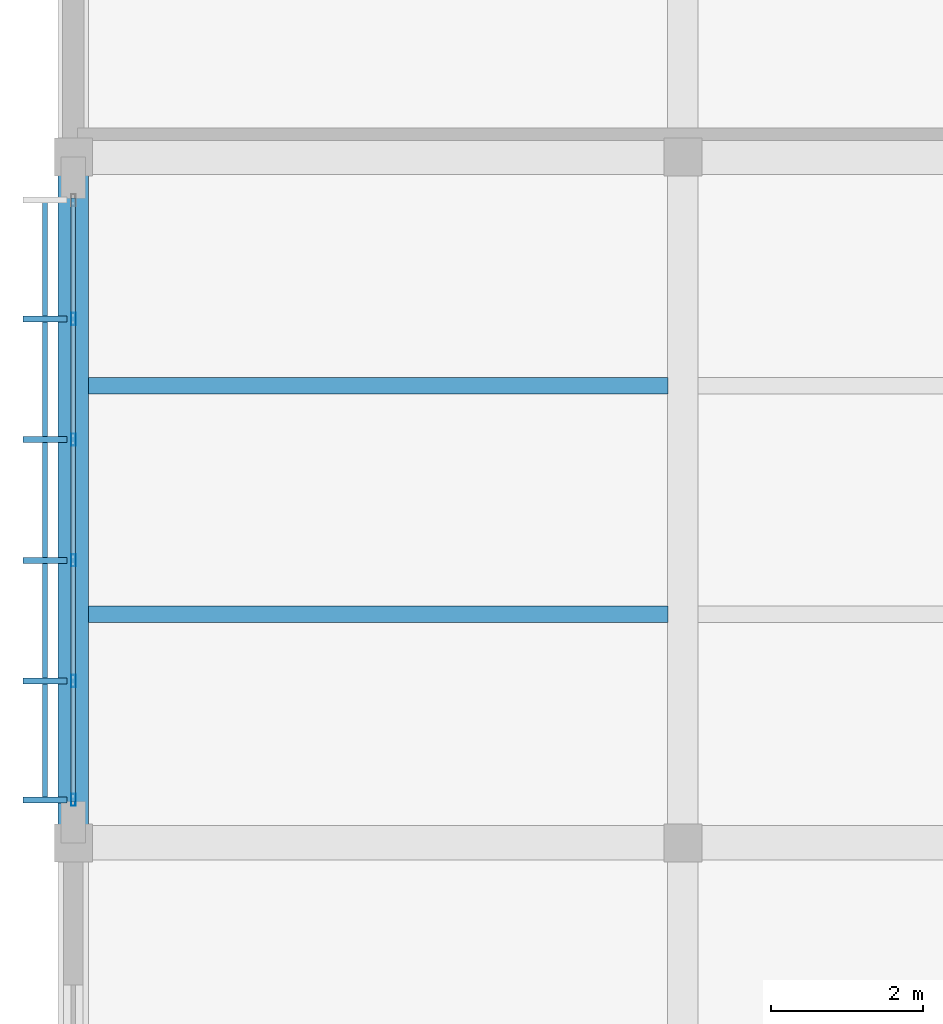
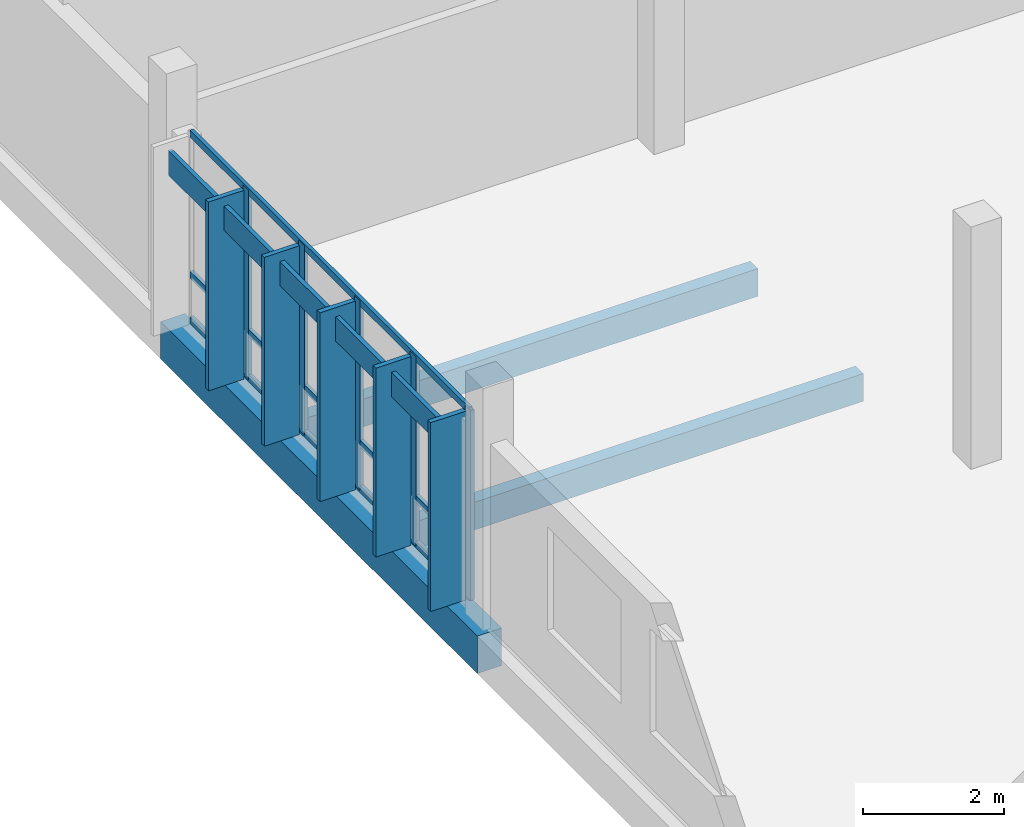
# One storey, part 33 of 107: 14 members, 3 beams, 1 element without a shape of its own.
"""IFC4 building model written with IfcOpenShell, lengths in metres."""

import ifcopenshell
import ifcopenshell.guid

model = None  # the IFC model being written
_history = None  # IfcOwnerHistory: only IFC2X3 demands one
_inside = {}  # id of a spatial element -> (the spatial element, [elements in it])
_under = {}  # id of a project, library or spatial element -> (it, [spatial elements below it])
_declared = {}  # id of a project -> (the project, [libraries it declares])
_typed = {}  # id of a type object -> (the type object, [elements of that type])
_made_of = {}  # id of a material, layer set ... -> (it, [elements and type objects made of it])


def new_model(schema):
    """Start an empty IFC model of exactly this schema.

    Asked for "IFC4X3", IfcOpenShell would pick the latest addendum, in which some entities
    have other attributes; the version numbers below select the first issue.
    IFC2X3 requires an IfcOwnerHistory on every rooted entity: one is made here for all.
    """
    global model, _history
    if schema == "IFC4X3":
        model = ifcopenshell.file(schema_version=(4, 3, 0, 0))
    else:
        model = ifcopenshell.file(schema=schema)
    _inside.clear()
    _under.clear()
    _declared.clear()
    _typed.clear()
    _made_of.clear()
    _history = None
    if model.schema == "IFC2X3":
        org = make("IfcOrganization", Name="unknown")
        user = make(
            "IfcPersonAndOrganization",
            ThePerson=make("IfcPerson", FamilyName="unknown"),
            TheOrganization=org,
        )
        app = make(
            "IfcApplication",
            ApplicationDeveloper=org,
            Version="unknown",
            ApplicationFullName="unknown",
            ApplicationIdentifier="unknown",
        )
        _history = make(
            "IfcOwnerHistory",
            OwningUser=user,
            OwningApplication=app,
            ChangeAction="ADDED",
            CreationDate=0,
        )
    return model


def make(cls, **values):
    """One entity of the class cls with the attributes given. An attribute that is None is left unset."""
    return model.create_entity(
        cls, **{name: value for name, value in values.items() if value is not None}
    )


def rooted(cls, **values):
    """An entity with a GlobalId (a new one), such as an element, a storey or a relation."""
    return make(cls, GlobalId=ifcopenshell.guid.new(), OwnerHistory=_history, **values)


def si_unit(unit_type, name, prefix=None):
    """IfcSIUnit, for example si_unit("LENGTHUNIT", "METRE", prefix="MILLI")."""
    return make("IfcSIUnit", UnitType=unit_type, Prefix=prefix, Name=name)


def assignment(units):
    """IfcUnitAssignment: the units of a project."""
    return None if units is None else make("IfcUnitAssignment", Units=units)


def point(xyz):
    """IfcCartesianPoint."""
    return None if xyz is None else make("IfcCartesianPoint", Coordinates=xyz)


def direction(xyz):
    """IfcDirection."""
    return None if xyz is None else make("IfcDirection", DirectionRatios=xyz)


def frame(location, z_axis=None, x_axis=None):
    """IfcAxis2Placement3D, a coordinate frame: its origin and axes. An axis left out is left unset."""
    return make(
        "IfcAxis2Placement3D",
        Location=point(location),
        Axis=direction(z_axis),
        RefDirection=direction(x_axis),
    )


def frame_2d(location, x_axis=None):
    """IfcAxis2Placement2D, a coordinate frame in the plane: its origin and x axis."""
    return make(
        "IfcAxis2Placement2D", Location=point(location), RefDirection=direction(x_axis)
    )


def origin():
    """The frame at (0, 0, 0) with its axes left unset."""
    return frame((0.0, 0.0, 0.0))


def origin_2d():
    """The frame at (0, 0) in the plane with its x axis left unset."""
    return frame_2d((0.0, 0.0))


def place(relative_to, where):
    """IfcLocalPlacement: puts the frame where relative to a parent placement (None: the world)."""
    return make(
        "IfcLocalPlacement", PlacementRelTo=relative_to, RelativePlacement=where
    )


def context(
    kind, dimensions, precision=None, world=None, true_north=None, identifier=None
):
    """IfcGeometricRepresentationContext, for example the 3D "Model" context."""
    return make(
        "IfcGeometricRepresentationContext",
        ContextIdentifier=identifier,
        ContextType=kind,
        CoordinateSpaceDimension=dimensions,
        Precision=precision,
        WorldCoordinateSystem=world,
        TrueNorth=true_north,
    )


def subcontext(parent, identifier, kind, view, scale=None):
    """IfcGeometricRepresentationSubContext, for example "Body" below "Model"."""
    return make(
        "IfcGeometricRepresentationSubContext",
        ContextIdentifier=identifier,
        ContextType=kind,
        ParentContext=parent,
        TargetScale=scale,
        TargetView=view,
    )


def project(units=None, contexts=None):
    """IfcProject with its units and contexts."""
    return rooted(
        "IfcProject",
        Name="project",
        RepresentationContexts=contexts,
        UnitsInContext=assignment(units),
    )


def spatial(cls, under=None, at=None, **own):
    """A site, building, storey or space (cls), placed at a placement, below another one or the project."""
    s = rooted(cls, ObjectPlacement=at, **own)
    if under is not None:
        _under.setdefault(under.id(), (under, []))[1].append(s)
    return s


def profile(cls, at=None, kind="AREA", **sizes):
    """A parametric profile (cls). Its sizes go by their IFC names, for example OverallWidth=200.0."""
    return make(cls, ProfileType=kind, Position=at, **sizes)


def rectangle(**sizes):
    """IfcRectangleProfileDef."""
    return profile("IfcRectangleProfileDef", **sizes)


def hollow_rectangle(**sizes):
    """IfcRectangleHollowProfileDef."""
    return profile("IfcRectangleHollowProfileDef", **sizes)


def extrude(swept, where, along, depth):
    """IfcExtrudedAreaSolid: the profile swept, set in the frame where, extruded along a direction by depth."""
    return make(
        "IfcExtrudedAreaSolid",
        SweptArea=swept,
        Position=where,
        ExtrudedDirection=direction(along),
        Depth=depth,
    )


def shape(context_of_items, identifier, shape_type, items):
    """IfcShapeRepresentation: the items that make up one representation, for example the "Body"."""
    return make(
        "IfcShapeRepresentation",
        ContextOfItems=context_of_items,
        RepresentationIdentifier=identifier,
        RepresentationType=shape_type,
        Items=items,
    )


def material(Name=None, Category=None):
    """IfcMaterial."""
    return make("IfcMaterial", Name=Name, Category=Category)


def material_profile(
    of_material, cross_section, Name=None, Category=None, Priority=None
):
    """IfcMaterialProfile: a cross section and its material."""
    return make(
        "IfcMaterialProfile",
        Name=Name,
        Material=of_material,
        Profile=cross_section,
        Priority=Priority,
        Category=Category,
    )


def profile_set(profiles, Name=None, composite=None):
    """IfcMaterialProfileSet."""
    return make(
        "IfcMaterialProfileSet",
        Name=Name,
        MaterialProfiles=profiles,
        CompositeProfile=composite,
    )


def made_of(thing, what):
    """Note that an element or type object is made of a material, layer set ...; save() writes the relation."""
    if what is not None:
        _made_of.setdefault(what.id(), (what, []))[1].append(thing)
    return thing


def type_object(cls, material=None, **own):
    """A type object (cls), such as IfcWallType, which elements share."""
    return made_of(rooted(cls, **own), material)


def element(
    cls,
    number,
    at=None,
    inside=None,
    cuts=None,
    type_object=None,
    material=None,
    context=None,
    identifier="Body",
    shape_type=None,
    held_by="IfcProductDefinitionShape",
    body=None,
    shapes=None,
    **own,
):
    """One element of the class cls, such as IfcWall. Its Tag is "e" and its number.

    at: its placement. inside: the storey or other place that contains it. cuts: it is an
    opening in that element (IfcRelVoidsElement). A single representation is given by context,
    identifier, shape_type and body (its items); several are given by shapes. held_by: the class
    of the entity that holds the representations. save() writes the other relations.
    """
    e = rooted(cls, Tag="e%d" % number, ObjectPlacement=at, **own)
    if body is not None:
        shapes = [shape(context, identifier, shape_type, body)]
    if shapes is not None:
        e.Representation = make(held_by, Representations=shapes)
    if inside is not None:
        _inside.setdefault(inside.id(), (inside, []))[1].append(e)
    if cuts is not None:
        rooted(
            "IfcRelVoidsElement", RelatingBuildingElement=cuts, RelatedOpeningElement=e
        )
    if type_object is not None:
        _typed.setdefault(type_object.id(), (type_object, []))[1].append(e)
    return made_of(e, material)


def aggregate(whole, parts):
    """IfcRelAggregates: a whole, such as a stair, and the parts it consists of."""
    return rooted("IfcRelAggregates", RelatingObject=whole, RelatedObjects=parts)


def save(model, path):
    """Write the relations noted so far, then the file.

    IfcRelAggregates (storeys below a building ...), IfcRelContainedInSpatialStructure (elements
    in a storey), IfcRelDefinesByType, IfcRelAssociatesMaterial and IfcRelDeclares: one each for
    every whole, place, type object, material and project.
    """
    for whole, parts in _under.values():
        aggregate(whole, parts)
    for where, things in _inside.values():
        rooted(
            "IfcRelContainedInSpatialStructure",
            RelatedElements=things,
            RelatingStructure=where,
        )
    for kind, things in _typed.values():
        rooted("IfcRelDefinesByType", RelatedObjects=things, RelatingType=kind)
    for what, things in _made_of.values():
        rooted("IfcRelAssociatesMaterial", RelatedObjects=things, RelatingMaterial=what)
    for by, libraries in _declared.values():
        rooted("IfcRelDeclares", RelatingContext=by, RelatedDefinitions=libraries)
    model.write(path)


model = new_model("IFC4")

# Units and contexts
model_context = context("Model", 3, precision=1e-05, world=origin(), true_north=direction((0.0, 1.0)))
body_context = subcontext(model_context, "Body", "Model", "MODEL_VIEW")
ifc_project = project(units=[si_unit("LENGTHUNIT", "METRE"), si_unit("AREAUNIT", "SQUARE_METRE"), si_unit("VOLUMEUNIT", "CUBIC_METRE"), si_unit("PLANEANGLEUNIT", "RADIAN"), si_unit("MASSUNIT", "GRAM", prefix="KILO")], contexts=[model_context])

# Site, building, storey
site_placement = place(None, origin())
site = spatial("IfcSite", under=ifc_project, at=site_placement, CompositionType="ELEMENT")
building_placement = place(site_placement, origin())
building = spatial("IfcBuilding", under=site, at=building_placement, Name="Chiffa Square Polytechnic", CompositionType="ELEMENT")
storey_placement = place(building_placement, frame((0.0, 0.0, 13.800048828125)))
storey = spatial("IfcBuildingStorey", under=building, at=storey_placement, Name="L03", CompositionType="ELEMENT", Elevation=13.800048828125)

# Beam
ifc_material_1 = material(Name="Concrete C35/45", Category="concrete")
ifc_material_profile_1 = material_profile(ifc_material_1, rectangle(XDim=0.39990234375, YDim=0.64990234375, at=origin_2d()), Name="RC 400x650")
ifc_profile_set_1 = profile_set([ifc_material_profile_1], Name="Concrete C35/45")
beam_type_1 = type_object("IfcBeamType", Name="BM-RC-400X650", PredefinedType="BEAM", material=ifc_profile_set_1)
beam_placement = place(storey_placement, frame((0.0, 103.800048828125, -0.5849609375), z_axis=(0.0, 1.0, 0.0), x_axis=(-1.0, 0.0, 0.0)))
element("IfcBeam", 1, at=beam_placement, inside=storey, type_object=beam_type_1, Name="Primary floor girder BM-V5-L03-Y-0000-1038", PredefinedType="BEAM", context=body_context, shape_type="SweptSolid", body=[
    extrude(rectangle(XDim=0.39990234375, YDim=0.64990234375, at=origin_2d()), origin(), (0.0, 0.0, 1.0), 9.0),
])

# Curtain wall, members
ifc_material_2 = material(Name="Aluminium EN AW-6060 T66 and glulam shading", Category="wood")
curtain_wall_type = type_object("IfcCurtainWallType", Name="CW-VERT-450X440", PredefinedType="USERDEFINED", material=ifc_material_2)
curtain_wall_placement = place(storey_placement, origin())
curtain_wall = element("IfcCurtainWall", 2, at=curtain_wall_placement, inside=storey, type_object=curtain_wall_type, Name="Curtain wall CW-V5-L03-240", ObjectType="CURTAIN WALL", PredefinedType="USERDEFINED")
ifc_material_3 = material(Name="Aluminium EN AW-6060 T66", Category="aluminium")
ifc_material_profile_2 = material_profile(ifc_material_3, hollow_rectangle(XDim=0.06005859375, YDim=0.159912109375, WallThickness=0.00390625, at=origin_2d()), Name="ALU 60x160x4")
ifc_profile_set_2 = profile_set([ifc_material_profile_2], Name="Aluminium EN AW-6060 T66")
member_type_1 = type_object("IfcMemberType", Name="CWM-ALU-65X150", PredefinedType="MULLION", material=ifc_profile_set_2)
member_1_placement = place(storey_placement, frame((0.0, 110.676025390625, 0.0), z_axis=(0.0, 0.0, 1.0), x_axis=(1.0, 0.0, 0.0)))
member_1 = element("IfcMember", 3, at=member_1_placement, type_object=member_type_1, Name="Curtain wall mullion CW-V5-L03-240-M01", PredefinedType="MULLION", context=body_context, shape_type="SweptSolid", body=[
    extrude(hollow_rectangle(XDim=0.06005859375, YDim=0.159912109375, WallThickness=0.00390625, at=origin_2d()), origin(), (0.0, 0.0, 1.0), 3.294921875),
])
member_2_placement = place(storey_placement, frame((0.0, 109.092041015625, 0.0), z_axis=(0.0, 0.0, 1.0), x_axis=(1.0, 0.0, 0.0)))
member_2 = element("IfcMember", 4, at=member_2_placement, type_object=member_type_1, Name="Curtain wall mullion CW-V5-L03-240-M02", PredefinedType="MULLION", context=body_context, shape_type="SweptSolid", body=[
    extrude(hollow_rectangle(XDim=0.06005859375, YDim=0.159912109375, WallThickness=0.00390625, at=origin_2d()), origin(), (0.0, 0.0, 1.0), 3.294921875),
])
member_3_placement = place(storey_placement, frame((0.0, 107.508056640625, 0.0), z_axis=(0.0, 0.0, 1.0), x_axis=(1.0, 0.0, 0.0)))
member_3 = element("IfcMember", 5, at=member_3_placement, type_object=member_type_1, Name="Curtain wall mullion CW-V5-L03-240-M03", PredefinedType="MULLION", context=body_context, shape_type="SweptSolid", body=[
    extrude(hollow_rectangle(XDim=0.06005859375, YDim=0.159912109375, WallThickness=0.00390625, at=origin_2d()), origin(), (0.0, 0.0, 1.0), 3.294921875),
])
member_4_placement = place(storey_placement, frame((0.0, 105.924072265625, 0.0), z_axis=(0.0, 0.0, 1.0), x_axis=(1.0, 0.0, 0.0)))
member_4 = element("IfcMember", 6, at=member_4_placement, type_object=member_type_1, Name="Curtain wall mullion CW-V5-L03-240-M04", PredefinedType="MULLION", context=body_context, shape_type="SweptSolid", body=[
    extrude(hollow_rectangle(XDim=0.06005859375, YDim=0.159912109375, WallThickness=0.00390625, at=origin_2d()), origin(), (0.0, 0.0, 1.0), 3.294921875),
])
member_5_placement = place(storey_placement, frame((0.0, 104.364990234375, 0.0), z_axis=(0.0, 0.0, 1.0), x_axis=(1.0, 0.0, 0.0)))
member_5 = element("IfcMember", 7, at=member_5_placement, type_object=member_type_1, Name="Curtain wall mullion CW-V5-L03-240-M05", PredefinedType="MULLION", context=body_context, shape_type="SweptSolid", body=[
    extrude(hollow_rectangle(XDim=0.06005859375, YDim=0.159912109375, WallThickness=0.00390625, at=origin_2d()), origin(), (0.0, 0.0, 1.0), 3.294921875),
])
ifc_material_4 = material(Name="Glulam GL28h", Category="wood")
ifc_material_profile_3 = material_profile(ifc_material_4, rectangle(XDim=0.080078125, YDim=0.580078125, at=origin_2d()), Name="GL28h 80x580")
ifc_profile_set_3 = profile_set([ifc_material_profile_3], Name="Glulam GL28h")
member_type_2 = type_object("IfcMemberType", Name="CWM-GL-80X580", PredefinedType="MULLION", material=ifc_profile_set_3)
member_6_placement = place(storey_placement, frame((-0.3720703125, 110.676025390625, 0.010009765625), z_axis=(0.0, 0.0, 1.0), x_axis=(0.0, -1.0, 0.0)))
member_6 = element("IfcMember", 8, at=member_6_placement, type_object=member_type_2, Name="Exterior glulam solar fin CW-V5-L03-240-FN01", PredefinedType="MULLION", context=body_context, shape_type="SweptSolid", body=[
    extrude(rectangle(XDim=0.080078125, YDim=0.580078125, at=origin_2d()), origin(), (0.0, 0.0, 1.0), 3.27490234375),
])
member_7_placement = place(storey_placement, frame((-0.3720703125, 109.092041015625, 0.010009765625), z_axis=(0.0, 0.0, 1.0), x_axis=(0.0, -1.0, 0.0)))
member_7 = element("IfcMember", 9, at=member_7_placement, type_object=member_type_2, Name="Exterior glulam solar fin CW-V5-L03-240-FN02", PredefinedType="MULLION", context=body_context, shape_type="SweptSolid", body=[
    extrude(rectangle(XDim=0.080078125, YDim=0.580078125, at=origin_2d()), origin(), (0.0, 0.0, 1.0), 3.27490234375),
])
member_8_placement = place(storey_placement, frame((-0.3720703125, 107.508056640625, 0.010009765625), z_axis=(0.0, 0.0, 1.0), x_axis=(0.0, -1.0, 0.0)))
member_8 = element("IfcMember", 10, at=member_8_placement, type_object=member_type_2, Name="Exterior glulam solar fin CW-V5-L03-240-FN03", PredefinedType="MULLION", context=body_context, shape_type="SweptSolid", body=[
    extrude(rectangle(XDim=0.080078125, YDim=0.580078125, at=origin_2d()), origin(), (0.0, 0.0, 1.0), 3.27490234375),
])
member_9_placement = place(storey_placement, frame((-0.3720703125, 105.924072265625, 0.010009765625), z_axis=(0.0, 0.0, 1.0), x_axis=(0.0, -1.0, 0.0)))
member_9 = element("IfcMember", 11, at=member_9_placement, type_object=member_type_2, Name="Exterior glulam solar fin CW-V5-L03-240-FN04", PredefinedType="MULLION", context=body_context, shape_type="SweptSolid", body=[
    extrude(rectangle(XDim=0.080078125, YDim=0.580078125, at=origin_2d()), origin(), (0.0, 0.0, 1.0), 3.27490234375),
])
member_10_placement = place(storey_placement, frame((-0.3720703125, 104.364990234375, 0.010009765625), z_axis=(0.0, 0.0, 1.0), x_axis=(0.0, -1.0, 0.0)))
member_10 = element("IfcMember", 12, at=member_10_placement, type_object=member_type_2, Name="Exterior glulam solar fin CW-V5-L03-240-FN05", PredefinedType="MULLION", context=body_context, shape_type="SweptSolid", body=[
    extrude(rectangle(XDim=0.080078125, YDim=0.580078125, at=origin_2d()), origin(), (0.0, 0.0, 1.0), 3.27490234375),
])
ifc_material_profile_4 = material_profile(ifc_material_3, hollow_rectangle(XDim=0.06005859375, YDim=0.1201171875, WallThickness=0.00390625, at=origin_2d()), Name="ALU 60x120x4")
ifc_profile_set_4 = profile_set([ifc_material_profile_4], Name="Aluminium EN AW-6060 T66")
member_type_3 = type_object("IfcMemberType", Name="CWT-ALU-65X120", PredefinedType="USERDEFINED", material=ifc_profile_set_4)
member_11_placement = place(storey_placement, frame((0.0, 112.261962890625, 0.030029296875), z_axis=(0.0, -1.0, 0.0), x_axis=(1.0, 0.0, 0.0)))
member_11 = element("IfcMember", 13, at=member_11_placement, type_object=member_type_3, Name="Curtain wall transom CW-V5-L03-240-T01", ObjectType="TRANSOM", PredefinedType="USERDEFINED", context=body_context, shape_type="SweptSolid", body=[
    extrude(hollow_rectangle(XDim=0.06005859375, YDim=0.1201171875, WallThickness=0.00390625, at=origin_2d()), origin(), (0.0, 0.0, 1.0), 7.924072265625),
])
member_12_placement = place(storey_placement, frame((0.0, 112.261962890625, 0.820068359375), z_axis=(0.0, -1.0, 0.0), x_axis=(1.0, 0.0, 0.0)))
member_12 = element("IfcMember", 14, at=member_12_placement, type_object=member_type_3, Name="Curtain wall transom CW-V5-L03-240-T02", ObjectType="TRANSOM", PredefinedType="USERDEFINED", context=body_context, shape_type="SweptSolid", body=[
    extrude(hollow_rectangle(XDim=0.06005859375, YDim=0.1201171875, WallThickness=0.00390625, at=origin_2d()), origin(), (0.0, 0.0, 1.0), 7.924072265625),
])
member_13_placement = place(storey_placement, frame((0.0, 112.261962890625, 3.264892578125), z_axis=(0.0, -1.0, 0.0), x_axis=(1.0, 0.0, 0.0)))
member_13 = element("IfcMember", 15, at=member_13_placement, type_object=member_type_3, Name="Curtain wall transom CW-V5-L03-240-T03", ObjectType="TRANSOM", PredefinedType="USERDEFINED", context=body_context, shape_type="SweptSolid", body=[
    extrude(hollow_rectangle(XDim=0.06005859375, YDim=0.1201171875, WallThickness=0.00390625, at=origin_2d()), origin(), (0.0, 0.0, 1.0), 7.924072265625),
])
ifc_material_profile_5 = material_profile(ifc_material_4, rectangle(XDim=0.070068359375, YDim=0.419921875, at=origin_2d()), Name="GL28h 70x420")
ifc_profile_set_5 = profile_set([ifc_material_profile_5], Name="Glulam GL28h")
member_type_4 = type_object("IfcMemberType", Name="CWT-GL-70X420", PredefinedType="USERDEFINED", material=ifc_profile_set_5)
member_14_placement = place(storey_placement, frame((-0.3720703125, 112.235107421875, 2.9150390625), z_axis=(0.0, -1.0, 0.0), x_axis=(1.0, 0.0, 0.0)))
member_14 = element("IfcMember", 16, at=member_14_placement, type_object=member_type_4, Name="Exterior glulam brise-soleil CW-V5-L03-240-BS01", ObjectType="TRANSOM", PredefinedType="USERDEFINED", context=body_context, shape_type="SweptSolid", body=[
    extrude(rectangle(XDim=0.070068359375, YDim=0.419921875, at=origin_2d()), origin(), (0.0, 0.0, 1.0), 7.8701171875),
])
aggregate(curtain_wall, [member_1, member_6, member_2, member_7, member_3, member_8, member_4, member_9, member_5, member_10, member_11, member_12, member_13, member_14])

# Beams
ifc_material_profile_6 = material_profile(ifc_material_4, rectangle(XDim=0.219970703125, YDim=0.47998046875, at=origin_2d()), Name="GL28h 220x480")
ifc_profile_set_6 = profile_set([ifc_material_profile_6], Name="Glulam GL28h")
beam_type_2 = type_object("IfcBeamType", Name="JST-GL-220X480", PredefinedType="JOIST", material=ifc_profile_set_6)
for number, where, z_axis, x_axis, name in (
    (17, (0.197998046875, 106.800048828125, -0.5), (1.0, 0.0, 0.0), (0.0, 1.0, 0.0), "Secondary floor joist JST-V5-L03-0000-1068"),
    (18, (0.197998046875, 109.800048828125, -0.5), (1.0, 0.0, 0.0), (0.0, 1.0, 0.0), "Secondary floor joist JST-V5-L03-0000-1098"),
):
    element("IfcBeam", number, at=place(storey_placement, frame(where, z_axis=z_axis, x_axis=x_axis)), inside=storey, type_object=beam_type_2, Name=name, PredefinedType="JOIST", context=body_context, shape_type="SweptSolid", body=[
        extrude(rectangle(XDim=0.219970703125, YDim=0.47998046875, at=origin_2d()), origin(), (0.0, 0.0, 1.0), 7.60400390625),
    ])

save(model, "model.ifc")
